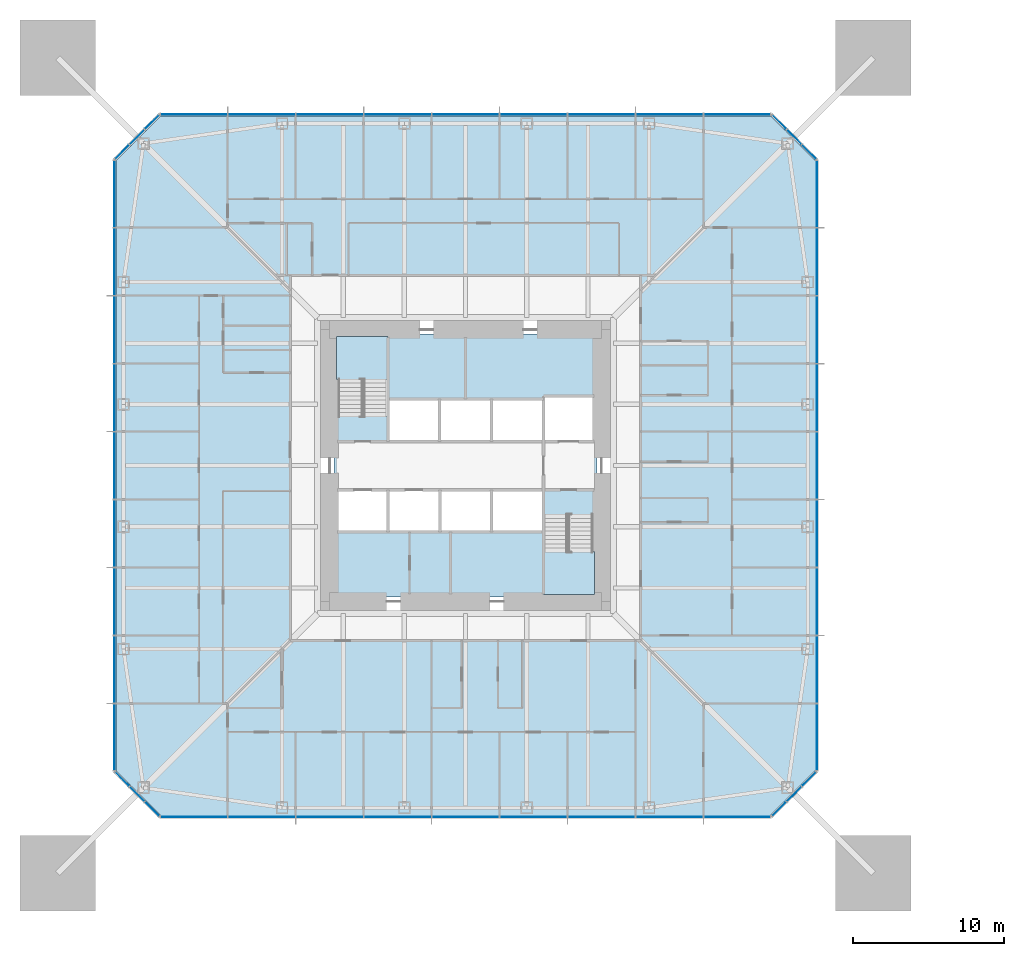
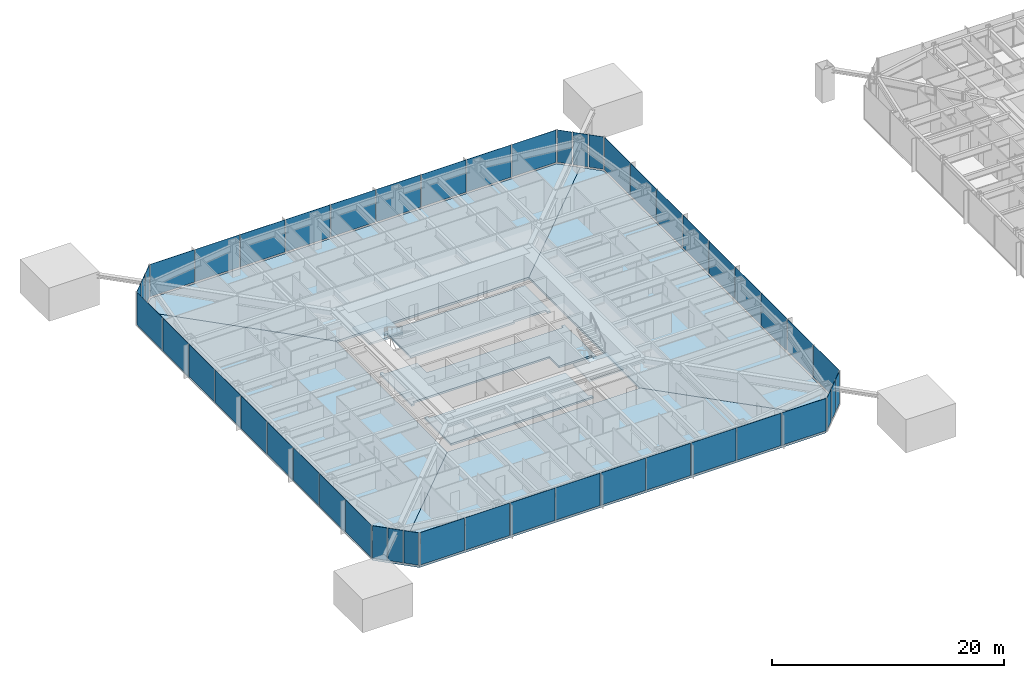
# One storey, part 12 of 26: 48 plates, 9 slabs, 10 elements without a shape of their own.
"""IFC4 building model written with IfcOpenShell, lengths in metres."""

from ifc_helpers import new_model, si_unit, direction, frame, origin, origin_2d, place, context, subcontext, project, spatial, polyline, rectangle, outline, extrude, material, layer, layer_set, constituent, constituent_set, type_object, element, aggregate, save


model = new_model("IFC4")

# Units and contexts
model_context = context("Model", 3, precision=1e-05, world=origin(), true_north=direction((0.0, 1.0)))
body_context = subcontext(model_context, "Body", "Model", "MODEL_VIEW")
ifc_project = project(units=[si_unit("LENGTHUNIT", "METRE"), si_unit("AREAUNIT", "SQUARE_METRE"), si_unit("VOLUMEUNIT", "CUBIC_METRE"), si_unit("PLANEANGLEUNIT", "RADIAN"), si_unit("MASSUNIT", "GRAM", prefix="KILO")], contexts=[model_context])

# Site, building, storey
site_placement = place(None, origin())
site = spatial("IfcSite", under=ifc_project, at=site_placement, CompositionType="ELEMENT")
building_placement = place(site_placement, origin())
building = spatial("IfcBuilding", under=site, at=building_placement, Name="Iwan Alto Co-Living Towers", CompositionType="ELEMENT")
storey_placement = place(building_placement, frame((0.0, 0.0, 36.0)))
storey = spatial("IfcBuildingStorey", under=building, at=storey_placement, Name="L09", CompositionType="ELEMENT", Elevation=36.0)

# Slabs
ifc_material_1 = material(Name="Concrete f'c 30 MPa", Category="concrete")
ifc_layer_1 = layer(ifc_material_1, 0.199951171875)
ifc_layer_set_1 = layer_set([ifc_layer_1], Name="CORE FLOOR SLAB 200")
slab_type_1 = type_object("IfcSlabType", Name="CORE FLOOR SLAB 200", PredefinedType="FLOOR", material=ifc_layer_set_1)
slab_1_placement = place(storey_placement, frame((0.0, 0.0, -0.199951171875)))
element("IfcSlab", 1, at=slab_1_placement, inside=storey, type_object=slab_type_1, Name="T1 core floor L09", PredefinedType="FLOOR", context=body_context, shape_type="SweptSolid", body=[
    extrude(outline(polyline([(8.699951171875, -3.580078125), (8.39990234375, -3.580078125), (8.39990234375, -3.27001953125), (5.14990234375, -3.27001953125), (5.14990234375, -1.60009765625), (1.72509765625, -1.60009765625), (-1.699951171875, -1.60009765625), (-5.125, -1.60009765625), (-8.39990234375, -1.60009765625), (-8.39990234375, -1.909912109375), (-8.699951171875, -1.909912109375), (-8.699951171875, 3.580078125), (-8.39990234375, 3.580078125), (-8.39990234375, 3.27001953125), (-5.14990234375, 3.27001953125), (-5.14990234375, 1.60009765625), (-1.717041015625, 1.60009765625), (1.717041015625, 1.60009765625), (5.14990234375, 1.60009765625), (8.39990234375, 1.60009765625), (8.39990234375, 1.909912109375), (8.699951171875, 1.909912109375), (8.699951171875, -3.580078125)])), origin(), (0.0, 0.0, 1.0), 0.199951171875),
])
slab_2_placement = place(storey_placement, frame((0.0, 0.0, -0.199951171875)))
element("IfcSlab", 2, at=slab_2_placement, inside=storey, type_object=slab_type_1, Name="T1 core floor L09", PredefinedType="FLOOR", context=body_context, shape_type="SweptSolid", body=[
    extrude(outline(polyline([(-1.699951171875, -4.39990234375), (1.72509765625, -4.39990234375), (5.14990234375, -4.39990234375), (5.14990234375, -8.39990234375), (5.4599609375, -8.39990234375), (5.4599609375, -8.699951171875), (-8.699951171875, -8.699951171875), (-8.699951171875, -4.090087890625), (-8.39990234375, -4.090087890625), (-8.39990234375, -4.39990234375), (-5.125, -4.39990234375), (-1.699951171875, -4.39990234375)])), origin(), (0.0, 0.0, 1.0), 0.199951171875),
])
slab_3_placement = place(storey_placement, frame((0.0, 0.0, -0.199951171875)))
element("IfcSlab", 3, at=slab_3_placement, inside=storey, type_object=slab_type_1, Name="T1 core floor L09", PredefinedType="FLOOR", context=body_context, shape_type="SweptSolid", body=[
    extrude(outline(polyline([(1.717041015625, 4.39990234375), (-1.717041015625, 4.39990234375), (-5.14990234375, 4.39990234375), (-5.14990234375, 8.39990234375), (-5.4599609375, 8.39990234375), (-5.4599609375, 8.699951171875), (8.699951171875, 8.699951171875), (8.699951171875, 4.2900390625), (8.39990234375, 4.2900390625), (8.39990234375, 4.60009765625), (5.14990234375, 4.60009765625), (5.14990234375, 4.39990234375), (1.717041015625, 4.39990234375)])), origin(), (0.0, 0.0, 1.0), 0.199951171875),
])

# Curtain wall, plates
ifc_material_2 = material(Name="Bronze aluminium unitised frame", Category="aluminium")
curtain_wall_type_1 = type_object("IfcCurtainWallType", Name="CURTAIN WALL CW-A", PredefinedType="NOTDEFINED", material=ifc_material_2)
curtain_wall_1_placement = place(storey_placement, origin())
curtain_wall_1 = element("IfcCurtainWall", 4, at=curtain_wall_1_placement, inside=storey, type_object=curtain_wall_type_1, Name="T1 curtain wall S L09", PredefinedType="NOTDEFINED")
ifc_material_3 = material(Name="Bronze-tinted insulating glass", Category="glass")
ifc_layer_2 = layer(ifc_material_3, 0.031982421875)
ifc_layer_set_2 = layer_set([ifc_layer_2], Name="CW-A PANEL TINTED IGU 32")
plate_type_1 = type_object("IfcPlateType", Name="CW-A PANEL TINTED IGU 32", PredefinedType="CURTAIN_PANEL", material=ifc_layer_set_2)
plate_1_placement = place(storey_placement, frame((-17.97998046875, -23.25, 0.10009765625), z_axis=(0.0, 0.0, 1.0), x_axis=(1.0, 0.0, 0.0)))
plate_1 = element("IfcPlate", 5, at=plate_1_placement, type_object=plate_type_1, Name="CW-A panel 1.1", PredefinedType="CURTAIN_PANEL", context=body_context, shape_type="SweptSolid", body=[
    extrude(rectangle(XDim=4.3798828125, YDim=0.031982421875, at=origin_2d()), origin(), (0.0, 0.0, 1.0), 3.39990234375),
])
plate_2_placement = place(storey_placement, frame((-13.5, -23.25, 0.10009765625), z_axis=(0.0, 0.0, 1.0), x_axis=(1.0, 0.0, 0.0)))
plate_2 = element("IfcPlate", 6, at=plate_2_placement, type_object=plate_type_1, Name="CW-A panel 2.1", PredefinedType="CURTAIN_PANEL", context=body_context, shape_type="SweptSolid", body=[
    extrude(rectangle(XDim=4.419921875, YDim=0.031982421875, at=origin_2d()), origin(), (0.0, 0.0, 1.0), 3.39990234375),
])
plate_3_placement = place(storey_placement, frame((-9.0, -23.25, 0.10009765625), z_axis=(0.0, 0.0, 1.0), x_axis=(1.0, 0.0, 0.0)))
plate_3 = element("IfcPlate", 7, at=plate_3_placement, type_object=plate_type_1, Name="CW-A panel 3.1", PredefinedType="CURTAIN_PANEL", context=body_context, shape_type="SweptSolid", body=[
    extrude(rectangle(XDim=4.419921875, YDim=0.031982421875, at=origin_2d()), origin(), (0.0, 0.0, 1.0), 3.39990234375),
])
plate_4_placement = place(storey_placement, frame((-4.5, -23.25, 0.10009765625), z_axis=(0.0, 0.0, 1.0), x_axis=(1.0, 0.0, 0.0)))
plate_4 = element("IfcPlate", 8, at=plate_4_placement, type_object=plate_type_1, Name="CW-A panel 4.1", PredefinedType="CURTAIN_PANEL", context=body_context, shape_type="SweptSolid", body=[
    extrude(rectangle(XDim=4.419921875, YDim=0.031982421875, at=origin_2d()), origin(), (0.0, 0.0, 1.0), 3.39990234375),
])
plate_5_placement = place(storey_placement, frame((0.0, -23.25, 0.10009765625), z_axis=(0.0, 0.0, 1.0), x_axis=(1.0, 0.0, 0.0)))
plate_5 = element("IfcPlate", 9, at=plate_5_placement, type_object=plate_type_1, Name="CW-A panel 5.1", PredefinedType="CURTAIN_PANEL", context=body_context, shape_type="SweptSolid", body=[
    extrude(rectangle(XDim=4.419921875, YDim=0.031982421875, at=origin_2d()), origin(), (0.0, 0.0, 1.0), 3.39990234375),
])
plate_6_placement = place(storey_placement, frame((4.5, -23.25, 0.10009765625), z_axis=(0.0, 0.0, 1.0), x_axis=(1.0, 0.0, 0.0)))
plate_6 = element("IfcPlate", 10, at=plate_6_placement, type_object=plate_type_1, Name="CW-A panel 6.1", PredefinedType="CURTAIN_PANEL", context=body_context, shape_type="SweptSolid", body=[
    extrude(rectangle(XDim=4.419921875, YDim=0.031982421875, at=origin_2d()), origin(), (0.0, 0.0, 1.0), 3.39990234375),
])
plate_7_placement = place(storey_placement, frame((9.0, -23.25, 0.10009765625), z_axis=(0.0, 0.0, 1.0), x_axis=(1.0, 0.0, 0.0)))
plate_7 = element("IfcPlate", 11, at=plate_7_placement, type_object=plate_type_1, Name="CW-A panel 7.1", PredefinedType="CURTAIN_PANEL", context=body_context, shape_type="SweptSolid", body=[
    extrude(rectangle(XDim=4.419921875, YDim=0.031982421875, at=origin_2d()), origin(), (0.0, 0.0, 1.0), 3.39990234375),
])
plate_8_placement = place(storey_placement, frame((13.5, -23.25, 0.10009765625), z_axis=(0.0, 0.0, 1.0), x_axis=(1.0, 0.0, 0.0)))
plate_8 = element("IfcPlate", 12, at=plate_8_placement, type_object=plate_type_1, Name="CW-A panel 8.1", PredefinedType="CURTAIN_PANEL", context=body_context, shape_type="SweptSolid", body=[
    extrude(rectangle(XDim=4.419921875, YDim=0.031982421875, at=origin_2d()), origin(), (0.0, 0.0, 1.0), 3.39990234375),
])
plate_9_placement = place(storey_placement, frame((17.97998046875, -23.25, 0.10009765625), z_axis=(0.0, 0.0, 1.0), x_axis=(1.0, 0.0, 0.0)))
plate_9 = element("IfcPlate", 13, at=plate_9_placement, type_object=plate_type_1, Name="CW-A panel 9.1", PredefinedType="CURTAIN_PANEL", context=body_context, shape_type="SweptSolid", body=[
    extrude(rectangle(XDim=4.3798828125, YDim=0.031982421875, at=origin_2d()), origin(), (0.0, 0.0, 1.0), 3.39990234375),
])
aggregate(curtain_wall_1, [plate_1, plate_2, plate_3, plate_4, plate_5, plate_6, plate_7, plate_8, plate_9])

curtain_wall_2_placement = place(storey_placement, origin())
curtain_wall_2 = element("IfcCurtainWall", 14, at=curtain_wall_2_placement, inside=storey, type_object=curtain_wall_type_1, Name="T1 curtain wall E L09", PredefinedType="NOTDEFINED")
plate_10_placement = place(storey_placement, frame((23.25, -17.97998046875, 0.10009765625), z_axis=(0.0, 0.0, 1.0), x_axis=(0.0, 1.0, 0.0)))
plate_10 = element("IfcPlate", 15, at=plate_10_placement, type_object=plate_type_1, Name="CW-A panel 1.1", PredefinedType="CURTAIN_PANEL", context=body_context, shape_type="SweptSolid", body=[
    extrude(rectangle(XDim=4.3798828125, YDim=0.031982421875, at=origin_2d()), origin(), (0.0, 0.0, 1.0), 3.39990234375),
])
plate_11_placement = place(storey_placement, frame((23.25, -13.5, 0.10009765625), z_axis=(0.0, 0.0, 1.0), x_axis=(0.0, 1.0, 0.0)))
plate_11 = element("IfcPlate", 16, at=plate_11_placement, type_object=plate_type_1, Name="CW-A panel 2.1", PredefinedType="CURTAIN_PANEL", context=body_context, shape_type="SweptSolid", body=[
    extrude(rectangle(XDim=4.419921875, YDim=0.031982421875, at=origin_2d()), origin(), (0.0, 0.0, 1.0), 3.39990234375),
])
plate_12_placement = place(storey_placement, frame((23.25, -9.0, 0.10009765625), z_axis=(0.0, 0.0, 1.0), x_axis=(0.0, 1.0, 0.0)))
plate_12 = element("IfcPlate", 17, at=plate_12_placement, type_object=plate_type_1, Name="CW-A panel 3.1", PredefinedType="CURTAIN_PANEL", context=body_context, shape_type="SweptSolid", body=[
    extrude(rectangle(XDim=4.419921875, YDim=0.031982421875, at=origin_2d()), origin(), (0.0, 0.0, 1.0), 3.39990234375),
])
plate_13_placement = place(storey_placement, frame((23.25, -4.5, 0.10009765625), z_axis=(0.0, 0.0, 1.0), x_axis=(0.0, 1.0, 0.0)))
plate_13 = element("IfcPlate", 18, at=plate_13_placement, type_object=plate_type_1, Name="CW-A panel 4.1", PredefinedType="CURTAIN_PANEL", context=body_context, shape_type="SweptSolid", body=[
    extrude(rectangle(XDim=4.419921875, YDim=0.031982421875, at=origin_2d()), origin(), (0.0, 0.0, 1.0), 3.39990234375),
])
plate_14_placement = place(storey_placement, frame((23.25, 0.0, 0.10009765625), z_axis=(0.0, 0.0, 1.0), x_axis=(0.0, 1.0, 0.0)))
plate_14 = element("IfcPlate", 19, at=plate_14_placement, type_object=plate_type_1, Name="CW-A panel 5.1", PredefinedType="CURTAIN_PANEL", context=body_context, shape_type="SweptSolid", body=[
    extrude(rectangle(XDim=4.419921875, YDim=0.031982421875, at=origin_2d()), origin(), (0.0, 0.0, 1.0), 3.39990234375),
])
plate_15_placement = place(storey_placement, frame((23.25, 4.5, 0.10009765625), z_axis=(0.0, 0.0, 1.0), x_axis=(0.0, 1.0, 0.0)))
plate_15 = element("IfcPlate", 20, at=plate_15_placement, type_object=plate_type_1, Name="CW-A panel 6.1", PredefinedType="CURTAIN_PANEL", context=body_context, shape_type="SweptSolid", body=[
    extrude(rectangle(XDim=4.419921875, YDim=0.031982421875, at=origin_2d()), origin(), (0.0, 0.0, 1.0), 3.39990234375),
])
plate_16_placement = place(storey_placement, frame((23.25, 9.0, 0.10009765625), z_axis=(0.0, 0.0, 1.0), x_axis=(0.0, 1.0, 0.0)))
plate_16 = element("IfcPlate", 21, at=plate_16_placement, type_object=plate_type_1, Name="CW-A panel 7.1", PredefinedType="CURTAIN_PANEL", context=body_context, shape_type="SweptSolid", body=[
    extrude(rectangle(XDim=4.419921875, YDim=0.031982421875, at=origin_2d()), origin(), (0.0, 0.0, 1.0), 3.39990234375),
])
plate_17_placement = place(storey_placement, frame((23.25, 13.5, 0.10009765625), z_axis=(0.0, 0.0, 1.0), x_axis=(0.0, 1.0, 0.0)))
plate_17 = element("IfcPlate", 22, at=plate_17_placement, type_object=plate_type_1, Name="CW-A panel 8.1", PredefinedType="CURTAIN_PANEL", context=body_context, shape_type="SweptSolid", body=[
    extrude(rectangle(XDim=4.419921875, YDim=0.031982421875, at=origin_2d()), origin(), (0.0, 0.0, 1.0), 3.39990234375),
])
plate_18_placement = place(storey_placement, frame((23.25, 17.97998046875, 0.10009765625), z_axis=(0.0, 0.0, 1.0), x_axis=(0.0, 1.0, 0.0)))
plate_18 = element("IfcPlate", 23, at=plate_18_placement, type_object=plate_type_1, Name="CW-A panel 9.1", PredefinedType="CURTAIN_PANEL", context=body_context, shape_type="SweptSolid", body=[
    extrude(rectangle(XDim=4.3798828125, YDim=0.031982421875, at=origin_2d()), origin(), (0.0, 0.0, 1.0), 3.39990234375),
])
aggregate(curtain_wall_2, [plate_10, plate_11, plate_12, plate_13, plate_14, plate_15, plate_16, plate_17, plate_18])

curtain_wall_3_placement = place(storey_placement, origin())
curtain_wall_3 = element("IfcCurtainWall", 24, at=curtain_wall_3_placement, inside=storey, type_object=curtain_wall_type_1, Name="T1 curtain wall N L09", PredefinedType="NOTDEFINED")
plate_19_placement = place(storey_placement, frame((17.97998046875, 23.25, 0.10009765625), z_axis=(0.0, 0.0, 1.0), x_axis=(-1.0, 0.0, 0.0)))
plate_19 = element("IfcPlate", 25, at=plate_19_placement, type_object=plate_type_1, Name="CW-A panel 1.1", PredefinedType="CURTAIN_PANEL", context=body_context, shape_type="SweptSolid", body=[
    extrude(rectangle(XDim=4.3798828125, YDim=0.031982421875, at=origin_2d()), origin(), (0.0, 0.0, 1.0), 3.39990234375),
])
plate_20_placement = place(storey_placement, frame((13.5, 23.25, 0.10009765625), z_axis=(0.0, 0.0, 1.0), x_axis=(-1.0, 0.0, 0.0)))
plate_20 = element("IfcPlate", 26, at=plate_20_placement, type_object=plate_type_1, Name="CW-A panel 2.1", PredefinedType="CURTAIN_PANEL", context=body_context, shape_type="SweptSolid", body=[
    extrude(rectangle(XDim=4.419921875, YDim=0.031982421875, at=origin_2d()), origin(), (0.0, 0.0, 1.0), 3.39990234375),
])
plate_21_placement = place(storey_placement, frame((9.0, 23.25, 0.10009765625), z_axis=(0.0, 0.0, 1.0), x_axis=(-1.0, 0.0, 0.0)))
plate_21 = element("IfcPlate", 27, at=plate_21_placement, type_object=plate_type_1, Name="CW-A panel 3.1", PredefinedType="CURTAIN_PANEL", context=body_context, shape_type="SweptSolid", body=[
    extrude(rectangle(XDim=4.419921875, YDim=0.031982421875, at=origin_2d()), origin(), (0.0, 0.0, 1.0), 3.39990234375),
])
plate_22_placement = place(storey_placement, frame((4.5, 23.25, 0.10009765625), z_axis=(0.0, 0.0, 1.0), x_axis=(-1.0, 0.0, 0.0)))
plate_22 = element("IfcPlate", 28, at=plate_22_placement, type_object=plate_type_1, Name="CW-A panel 4.1", PredefinedType="CURTAIN_PANEL", context=body_context, shape_type="SweptSolid", body=[
    extrude(rectangle(XDim=4.419921875, YDim=0.031982421875, at=origin_2d()), origin(), (0.0, 0.0, 1.0), 3.39990234375),
])
plate_23_placement = place(storey_placement, frame((0.0, 23.25, 0.10009765625), z_axis=(0.0, 0.0, 1.0), x_axis=(-1.0, 0.0, 0.0)))
plate_23 = element("IfcPlate", 29, at=plate_23_placement, type_object=plate_type_1, Name="CW-A panel 5.1", PredefinedType="CURTAIN_PANEL", context=body_context, shape_type="SweptSolid", body=[
    extrude(rectangle(XDim=4.419921875, YDim=0.031982421875, at=origin_2d()), origin(), (0.0, 0.0, 1.0), 3.39990234375),
])
plate_24_placement = place(storey_placement, frame((-4.5, 23.25, 0.10009765625), z_axis=(0.0, 0.0, 1.0), x_axis=(-1.0, 0.0, 0.0)))
plate_24 = element("IfcPlate", 30, at=plate_24_placement, type_object=plate_type_1, Name="CW-A panel 6.1", PredefinedType="CURTAIN_PANEL", context=body_context, shape_type="SweptSolid", body=[
    extrude(rectangle(XDim=4.419921875, YDim=0.031982421875, at=origin_2d()), origin(), (0.0, 0.0, 1.0), 3.39990234375),
])
plate_25_placement = place(storey_placement, frame((-9.0, 23.25, 0.10009765625), z_axis=(0.0, 0.0, 1.0), x_axis=(-1.0, 0.0, 0.0)))
plate_25 = element("IfcPlate", 31, at=plate_25_placement, type_object=plate_type_1, Name="CW-A panel 7.1", PredefinedType="CURTAIN_PANEL", context=body_context, shape_type="SweptSolid", body=[
    extrude(rectangle(XDim=4.419921875, YDim=0.031982421875, at=origin_2d()), origin(), (0.0, 0.0, 1.0), 3.39990234375),
])
plate_26_placement = place(storey_placement, frame((-13.5, 23.25, 0.10009765625), z_axis=(0.0, 0.0, 1.0), x_axis=(-1.0, 0.0, 0.0)))
plate_26 = element("IfcPlate", 32, at=plate_26_placement, type_object=plate_type_1, Name="CW-A panel 8.1", PredefinedType="CURTAIN_PANEL", context=body_context, shape_type="SweptSolid", body=[
    extrude(rectangle(XDim=4.419921875, YDim=0.031982421875, at=origin_2d()), origin(), (0.0, 0.0, 1.0), 3.39990234375),
])
plate_27_placement = place(storey_placement, frame((-17.97998046875, 23.25, 0.10009765625), z_axis=(0.0, 0.0, 1.0), x_axis=(-1.0, 0.0, 0.0)))
plate_27 = element("IfcPlate", 33, at=plate_27_placement, type_object=plate_type_1, Name="CW-A panel 9.1", PredefinedType="CURTAIN_PANEL", context=body_context, shape_type="SweptSolid", body=[
    extrude(rectangle(XDim=4.3798828125, YDim=0.031982421875, at=origin_2d()), origin(), (0.0, 0.0, 1.0), 3.39990234375),
])
aggregate(curtain_wall_3, [plate_19, plate_20, plate_21, plate_22, plate_23, plate_24, plate_25, plate_26, plate_27])

curtain_wall_4_placement = place(storey_placement, origin())
curtain_wall_4 = element("IfcCurtainWall", 34, at=curtain_wall_4_placement, inside=storey, type_object=curtain_wall_type_1, Name="T1 curtain wall W L09", PredefinedType="NOTDEFINED")
plate_28_placement = place(storey_placement, frame((-23.25, 17.97998046875, 0.10009765625), z_axis=(0.0, 0.0, 1.0), x_axis=(0.0, -1.0, 0.0)))
plate_28 = element("IfcPlate", 35, at=plate_28_placement, type_object=plate_type_1, Name="CW-A panel 1.1", PredefinedType="CURTAIN_PANEL", context=body_context, shape_type="SweptSolid", body=[
    extrude(rectangle(XDim=4.3798828125, YDim=0.031982421875, at=origin_2d()), origin(), (0.0, 0.0, 1.0), 3.39990234375),
])
plate_29_placement = place(storey_placement, frame((-23.25, 13.5, 0.10009765625), z_axis=(0.0, 0.0, 1.0), x_axis=(0.0, -1.0, 0.0)))
plate_29 = element("IfcPlate", 36, at=plate_29_placement, type_object=plate_type_1, Name="CW-A panel 2.1", PredefinedType="CURTAIN_PANEL", context=body_context, shape_type="SweptSolid", body=[
    extrude(rectangle(XDim=4.419921875, YDim=0.031982421875, at=origin_2d()), origin(), (0.0, 0.0, 1.0), 3.39990234375),
])
plate_30_placement = place(storey_placement, frame((-23.25, 9.0, 0.10009765625), z_axis=(0.0, 0.0, 1.0), x_axis=(0.0, -1.0, 0.0)))
plate_30 = element("IfcPlate", 37, at=plate_30_placement, type_object=plate_type_1, Name="CW-A panel 3.1", PredefinedType="CURTAIN_PANEL", context=body_context, shape_type="SweptSolid", body=[
    extrude(rectangle(XDim=4.419921875, YDim=0.031982421875, at=origin_2d()), origin(), (0.0, 0.0, 1.0), 3.39990234375),
])
plate_31_placement = place(storey_placement, frame((-23.25, 4.5, 0.10009765625), z_axis=(0.0, 0.0, 1.0), x_axis=(0.0, -1.0, 0.0)))
plate_31 = element("IfcPlate", 38, at=plate_31_placement, type_object=plate_type_1, Name="CW-A panel 4.1", PredefinedType="CURTAIN_PANEL", context=body_context, shape_type="SweptSolid", body=[
    extrude(rectangle(XDim=4.419921875, YDim=0.031982421875, at=origin_2d()), origin(), (0.0, 0.0, 1.0), 3.39990234375),
])
plate_32_placement = place(storey_placement, frame((-23.25, 0.0, 0.10009765625), z_axis=(0.0, 0.0, 1.0), x_axis=(0.0, -1.0, 0.0)))
plate_32 = element("IfcPlate", 39, at=plate_32_placement, type_object=plate_type_1, Name="CW-A panel 5.1", PredefinedType="CURTAIN_PANEL", context=body_context, shape_type="SweptSolid", body=[
    extrude(rectangle(XDim=4.419921875, YDim=0.031982421875, at=origin_2d()), origin(), (0.0, 0.0, 1.0), 3.39990234375),
])
plate_33_placement = place(storey_placement, frame((-23.25, -4.5, 0.10009765625), z_axis=(0.0, 0.0, 1.0), x_axis=(0.0, -1.0, 0.0)))
plate_33 = element("IfcPlate", 40, at=plate_33_placement, type_object=plate_type_1, Name="CW-A panel 6.1", PredefinedType="CURTAIN_PANEL", context=body_context, shape_type="SweptSolid", body=[
    extrude(rectangle(XDim=4.419921875, YDim=0.031982421875, at=origin_2d()), origin(), (0.0, 0.0, 1.0), 3.39990234375),
])
plate_34_placement = place(storey_placement, frame((-23.25, -9.0, 0.10009765625), z_axis=(0.0, 0.0, 1.0), x_axis=(0.0, -1.0, 0.0)))
plate_34 = element("IfcPlate", 41, at=plate_34_placement, type_object=plate_type_1, Name="CW-A panel 7.1", PredefinedType="CURTAIN_PANEL", context=body_context, shape_type="SweptSolid", body=[
    extrude(rectangle(XDim=4.419921875, YDim=0.031982421875, at=origin_2d()), origin(), (0.0, 0.0, 1.0), 3.39990234375),
])
plate_35_placement = place(storey_placement, frame((-23.25, -13.5, 0.10009765625), z_axis=(0.0, 0.0, 1.0), x_axis=(0.0, -1.0, 0.0)))
plate_35 = element("IfcPlate", 42, at=plate_35_placement, type_object=plate_type_1, Name="CW-A panel 8.1", PredefinedType="CURTAIN_PANEL", context=body_context, shape_type="SweptSolid", body=[
    extrude(rectangle(XDim=4.419921875, YDim=0.031982421875, at=origin_2d()), origin(), (0.0, 0.0, 1.0), 3.39990234375),
])
plate_36_placement = place(storey_placement, frame((-23.25, -17.97998046875, 0.10009765625), z_axis=(0.0, 0.0, 1.0), x_axis=(0.0, -1.0, 0.0)))
plate_36 = element("IfcPlate", 43, at=plate_36_placement, type_object=plate_type_1, Name="CW-A panel 9.1", PredefinedType="CURTAIN_PANEL", context=body_context, shape_type="SweptSolid", body=[
    extrude(rectangle(XDim=4.3798828125, YDim=0.031982421875, at=origin_2d()), origin(), (0.0, 0.0, 1.0), 3.39990234375),
])
aggregate(curtain_wall_4, [plate_28, plate_29, plate_30, plate_31, plate_32, plate_33, plate_34, plate_35, plate_36])

ifc_material_4 = material(Name="Bronze aluminium unitised frame", Category="aluminium")
curtain_wall_type_2 = type_object("IfcCurtainWallType", Name="CURTAIN WALL CW-B", PredefinedType="NOTDEFINED", material=ifc_material_4)
curtain_wall_5_placement = place(storey_placement, origin())
curtain_wall_5 = element("IfcCurtainWall", 44, at=curtain_wall_5_placement, inside=storey, type_object=curtain_wall_type_2, Name="T1 chamfer curtain wall SE L09", PredefinedType="NOTDEFINED")
ifc_material_5 = material(Name="Bronze-tinted insulating glass", Category="glass")
ifc_layer_3 = layer(ifc_material_5, 0.031982421875)
ifc_layer_set_3 = layer_set([ifc_layer_3], Name="CW-B PANEL TINTED IGU 32")
plate_type_2 = type_object("IfcPlateType", Name="CW-B PANEL TINTED IGU 32", PredefinedType="CURTAIN_PANEL", material=ifc_layer_set_3)
plate_37_placement = place(storey_placement, frame((20.76416015625, -22.73583984375, 0.10009765625), z_axis=(0.0, 0.0, 1.0), x_axis=(0.707106781187, 0.707106781187, 0.0)))
plate_37 = element("IfcPlate", 45, at=plate_37_placement, type_object=plate_type_2, Name="CW-B panel 1.1", PredefinedType="CURTAIN_PANEL", context=body_context, shape_type="SweptSolid", body=[
    extrude(rectangle(XDim=1.294189453125, YDim=0.031982421875, at=origin_2d()), origin(), (0.0, 0.0, 1.0), 3.39990234375),
])
plate_38_placement = place(storey_placement, frame((21.75, -21.75, 0.10009765625), z_axis=(0.0, 0.0, 1.0), x_axis=(0.707106781187, 0.707106781187, 0.0)))
plate_38 = element("IfcPlate", 46, at=plate_38_placement, type_object=plate_type_2, Name="CW-B panel 2.1", PredefinedType="CURTAIN_PANEL", context=body_context, shape_type="SweptSolid", body=[
    extrude(rectangle(XDim=1.334228515625, YDim=0.031982421875, at=origin_2d()), origin(), (0.0, 0.0, 1.0), 3.39990234375),
])
plate_39_placement = place(storey_placement, frame((22.73583984375, -20.76416015625, 0.10009765625), z_axis=(0.0, 0.0, 1.0), x_axis=(0.707106781187, 0.707106781187, 0.0)))
plate_39 = element("IfcPlate", 47, at=plate_39_placement, type_object=plate_type_2, Name="CW-B panel 3.1", PredefinedType="CURTAIN_PANEL", context=body_context, shape_type="SweptSolid", body=[
    extrude(rectangle(XDim=1.294189453125, YDim=0.031982421875, at=origin_2d()), origin(), (0.0, 0.0, 1.0), 3.39990234375),
])
aggregate(curtain_wall_5, [plate_37, plate_38, plate_39])

curtain_wall_6_placement = place(storey_placement, origin())
curtain_wall_6 = element("IfcCurtainWall", 48, at=curtain_wall_6_placement, inside=storey, type_object=curtain_wall_type_2, Name="T1 chamfer curtain wall NE L09", PredefinedType="NOTDEFINED")
plate_40_placement = place(storey_placement, frame((22.73583984375, 20.76416015625, 0.10009765625), z_axis=(0.0, 0.0, 1.0), x_axis=(-0.707106781187, 0.707106781187, 0.0)))
plate_40 = element("IfcPlate", 49, at=plate_40_placement, type_object=plate_type_2, Name="CW-B panel 1.1", PredefinedType="CURTAIN_PANEL", context=body_context, shape_type="SweptSolid", body=[
    extrude(rectangle(XDim=1.294189453125, YDim=0.031982421875, at=origin_2d()), origin(), (0.0, 0.0, 1.0), 3.39990234375),
])
plate_41_placement = place(storey_placement, frame((21.75, 21.75, 0.10009765625), z_axis=(0.0, 0.0, 1.0), x_axis=(-0.707106781187, 0.707106781187, 0.0)))
plate_41 = element("IfcPlate", 50, at=plate_41_placement, type_object=plate_type_2, Name="CW-B panel 2.1", PredefinedType="CURTAIN_PANEL", context=body_context, shape_type="SweptSolid", body=[
    extrude(rectangle(XDim=1.334228515625, YDim=0.031982421875, at=origin_2d()), origin(), (0.0, 0.0, 1.0), 3.39990234375),
])
plate_42_placement = place(storey_placement, frame((20.76416015625, 22.73583984375, 0.10009765625), z_axis=(0.0, 0.0, 1.0), x_axis=(-0.707106781187, 0.707106781187, 0.0)))
plate_42 = element("IfcPlate", 51, at=plate_42_placement, type_object=plate_type_2, Name="CW-B panel 3.1", PredefinedType="CURTAIN_PANEL", context=body_context, shape_type="SweptSolid", body=[
    extrude(rectangle(XDim=1.294189453125, YDim=0.031982421875, at=origin_2d()), origin(), (0.0, 0.0, 1.0), 3.39990234375),
])
aggregate(curtain_wall_6, [plate_40, plate_41, plate_42])

curtain_wall_7_placement = place(storey_placement, origin())
curtain_wall_7 = element("IfcCurtainWall", 52, at=curtain_wall_7_placement, inside=storey, type_object=curtain_wall_type_2, Name="T1 chamfer curtain wall NW L09", PredefinedType="NOTDEFINED")
plate_43_placement = place(storey_placement, frame((-20.76416015625, 22.73583984375, 0.10009765625), z_axis=(0.0, 0.0, 1.0), x_axis=(-0.707106781187, -0.707106781187, 0.0)))
plate_43 = element("IfcPlate", 53, at=plate_43_placement, type_object=plate_type_2, Name="CW-B panel 1.1", PredefinedType="CURTAIN_PANEL", context=body_context, shape_type="SweptSolid", body=[
    extrude(rectangle(XDim=1.294189453125, YDim=0.031982421875, at=origin_2d()), origin(), (0.0, 0.0, 1.0), 3.39990234375),
])
plate_44_placement = place(storey_placement, frame((-21.75, 21.75, 0.10009765625), z_axis=(0.0, 0.0, 1.0), x_axis=(-0.707106781187, -0.707106781187, 0.0)))
plate_44 = element("IfcPlate", 54, at=plate_44_placement, type_object=plate_type_2, Name="CW-B panel 2.1", PredefinedType="CURTAIN_PANEL", context=body_context, shape_type="SweptSolid", body=[
    extrude(rectangle(XDim=1.334228515625, YDim=0.031982421875, at=origin_2d()), origin(), (0.0, 0.0, 1.0), 3.39990234375),
])
plate_45_placement = place(storey_placement, frame((-22.73583984375, 20.76416015625, 0.10009765625), z_axis=(0.0, 0.0, 1.0), x_axis=(-0.707106781187, -0.707106781187, 0.0)))
plate_45 = element("IfcPlate", 55, at=plate_45_placement, type_object=plate_type_2, Name="CW-B panel 3.1", PredefinedType="CURTAIN_PANEL", context=body_context, shape_type="SweptSolid", body=[
    extrude(rectangle(XDim=1.294189453125, YDim=0.031982421875, at=origin_2d()), origin(), (0.0, 0.0, 1.0), 3.39990234375),
])
aggregate(curtain_wall_7, [plate_43, plate_44, plate_45])

curtain_wall_8_placement = place(storey_placement, origin())
curtain_wall_8 = element("IfcCurtainWall", 56, at=curtain_wall_8_placement, inside=storey, type_object=curtain_wall_type_2, Name="T1 chamfer curtain wall SW L09", PredefinedType="NOTDEFINED")
plate_46_placement = place(storey_placement, frame((-22.73583984375, -20.76416015625, 0.10009765625), z_axis=(0.0, 0.0, 1.0), x_axis=(0.707106781187, -0.707106781187, 0.0)))
plate_46 = element("IfcPlate", 57, at=plate_46_placement, type_object=plate_type_2, Name="CW-B panel 1.1", PredefinedType="CURTAIN_PANEL", context=body_context, shape_type="SweptSolid", body=[
    extrude(rectangle(XDim=1.294189453125, YDim=0.031982421875, at=origin_2d()), origin(), (0.0, 0.0, 1.0), 3.39990234375),
])
plate_47_placement = place(storey_placement, frame((-21.75, -21.75, 0.10009765625), z_axis=(0.0, 0.0, 1.0), x_axis=(0.707106781187, -0.707106781187, 0.0)))
plate_47 = element("IfcPlate", 58, at=plate_47_placement, type_object=plate_type_2, Name="CW-B panel 2.1", PredefinedType="CURTAIN_PANEL", context=body_context, shape_type="SweptSolid", body=[
    extrude(rectangle(XDim=1.334228515625, YDim=0.031982421875, at=origin_2d()), origin(), (0.0, 0.0, 1.0), 3.39990234375),
])
plate_48_placement = place(storey_placement, frame((-20.76416015625, -22.73583984375, 0.10009765625), z_axis=(0.0, 0.0, 1.0), x_axis=(0.707106781187, -0.707106781187, 0.0)))
plate_48 = element("IfcPlate", 59, at=plate_48_placement, type_object=plate_type_2, Name="CW-B panel 3.1", PredefinedType="CURTAIN_PANEL", context=body_context, shape_type="SweptSolid", body=[
    extrude(rectangle(XDim=1.294189453125, YDim=0.031982421875, at=origin_2d()), origin(), (0.0, 0.0, 1.0), 3.39990234375),
])
aggregate(curtain_wall_8, [plate_46, plate_47, plate_48])

# Stair, slab
ifc_material_6 = material(Name="Steel ASTM A36", Category="steel")
ifc_constituent_1 = constituent(ifc_material_6, Name="Stringers", Category="LoadBearing")
ifc_material_7 = material(Name="Concrete f'c 30 MPa", Category="concrete")
ifc_constituent_2 = constituent(ifc_material_7, Name="Tread fill", Category="Finish")
ifc_constituent_set = constituent_set(constituents=[ifc_constituent_1, ifc_constituent_2], Name="STAIR 3500 TWO-FLIGHT T1 CORE")
stair_type = type_object("IfcStairType", Name="STAIR 3500 TWO-FLIGHT T1 CORE", PredefinedType="HALF_TURN_STAIR", material=ifc_constituent_set)
stair_1_placement = place(storey_placement, origin())
stair_1 = element("IfcStair", 60, at=stair_1_placement, inside=storey, type_object=stair_type, Name="Stair T1-S1 L09 to L10", PredefinedType="HALF_TURN_STAIR")
ifc_material_8 = material(Name="Concrete f'c 30 MPa", Category="concrete")
ifc_layer_4 = layer(ifc_material_8, 0.199951171875)
ifc_layer_set_4 = layer_set([ifc_layer_4], Name="STAIR LANDING 200")
slab_type_2 = type_object("IfcSlabType", Name="STAIR LANDING 200", PredefinedType="LANDING", material=ifc_layer_set_4)
slab_4_placement = place(storey_placement, frame((0.0, 0.0, 1.550048828125)))
slab_4 = element("IfcSlab", 61, at=slab_4_placement, type_object=slab_type_2, Name="T1-S1 landing 1", PredefinedType="LANDING", context=body_context, shape_type="SweptSolid", body=[
    extrude(outline(polyline([(-8.550048828125, 5.68994140625), (-8.550048828125, 8.550048828125), (-5.14990234375, 8.550048828125), (-5.14990234375, 5.68994140625), (-8.550048828125, 5.68994140625)])), origin(), (0.0, 0.0, 1.0), 0.199951171875),
])
aggregate(stair_1, [slab_4])

stair_2_placement = place(storey_placement, origin())
stair_2 = element("IfcStair", 62, at=stair_2_placement, inside=storey, type_object=stair_type, Name="Stair T1-S2 L09 to L10", PredefinedType="HALF_TURN_STAIR")
slab_5_placement = place(storey_placement, frame((0.0, 0.0, 1.550048828125)))
slab_5 = element("IfcSlab", 63, at=slab_5_placement, type_object=slab_type_2, Name="T1-S2 landing 1", PredefinedType="LANDING", context=body_context, shape_type="SweptSolid", body=[
    extrude(outline(polyline([(5.14990234375, -5.68994140625), (5.14990234375, -8.550048828125), (8.550048828125, -8.550048828125), (8.550048828125, -5.68994140625), (5.14990234375, -5.68994140625)])), origin(), (0.0, 0.0, 1.0), 0.199951171875),
])
aggregate(stair_2, [slab_5])

# Slabs
ifc_material_9 = material(Name="Concrete f'c 30 MPa", Category="concrete")
ifc_layer_5 = layer(ifc_material_9, 0.22998046875)
ifc_layer_set_5 = layer_set([ifc_layer_5], Name="T1 FLOOR SLAB 230")
slab_type_3 = type_object("IfcSlabType", Name="T1 FLOOR SLAB 230", PredefinedType="FLOOR", material=ifc_layer_set_5)
slab_6_placement = place(storey_placement, frame((0.0, 0.0, -0.22998046875)))
element("IfcSlab", 64, at=slab_6_placement, inside=storey, type_object=slab_type_3, Name="T1 floor slab L09 S pour", PredefinedType="FLOOR", context=body_context, shape_type="SweptSolid", body=[
    extrude(outline(polyline([(20.19140625, -23.14990234375), (-20.19140625, -23.14990234375), (-21.670654296875, -21.670654296875), (-9.60009765625, -9.60009765625), (9.60009765625, -9.60009765625), (21.670654296875, -21.670654296875), (20.19140625, -23.14990234375)])), origin(), (0.0, 0.0, 1.0), 0.22998046875),
])
slab_7_placement = place(storey_placement, frame((0.0, 0.0, -0.22998046875)))
element("IfcSlab", 65, at=slab_7_placement, inside=storey, type_object=slab_type_3, Name="T1 floor slab L09 E pour", PredefinedType="FLOOR", context=body_context, shape_type="SweptSolid", body=[
    extrude(outline(polyline([(23.14990234375, 20.19140625), (23.14990234375, -20.19140625), (21.670654296875, -21.670654296875), (9.60009765625, -9.60009765625), (9.60009765625, 9.60009765625), (21.670654296875, 21.670654296875), (23.14990234375, 20.19140625)])), origin(), (0.0, 0.0, 1.0), 0.22998046875),
])
slab_8_placement = place(storey_placement, frame((0.0, 0.0, -0.22998046875)))
element("IfcSlab", 66, at=slab_8_placement, inside=storey, type_object=slab_type_3, Name="T1 floor slab L09 N pour", PredefinedType="FLOOR", context=body_context, shape_type="SweptSolid", body=[
    extrude(outline(polyline([(-20.19140625, 23.14990234375), (20.19140625, 23.14990234375), (21.670654296875, 21.670654296875), (9.60009765625, 9.60009765625), (-9.60009765625, 9.60009765625), (-21.670654296875, 21.670654296875), (-20.19140625, 23.14990234375)])), origin(), (0.0, 0.0, 1.0), 0.22998046875),
])
slab_9_placement = place(storey_placement, frame((0.0, 0.0, -0.22998046875)))
element("IfcSlab", 67, at=slab_9_placement, inside=storey, type_object=slab_type_3, Name="T1 floor slab L09 W pour", PredefinedType="FLOOR", context=body_context, shape_type="SweptSolid", body=[
    extrude(outline(polyline([(-23.14990234375, 20.19140625), (-21.670654296875, 21.670654296875), (-9.60009765625, 9.60009765625), (-9.60009765625, -9.60009765625), (-21.670654296875, -21.670654296875), (-23.14990234375, -20.19140625), (-23.14990234375, 20.19140625)])), origin(), (0.0, 0.0, 1.0), 0.22998046875),
])

save(model, "model.ifc")
